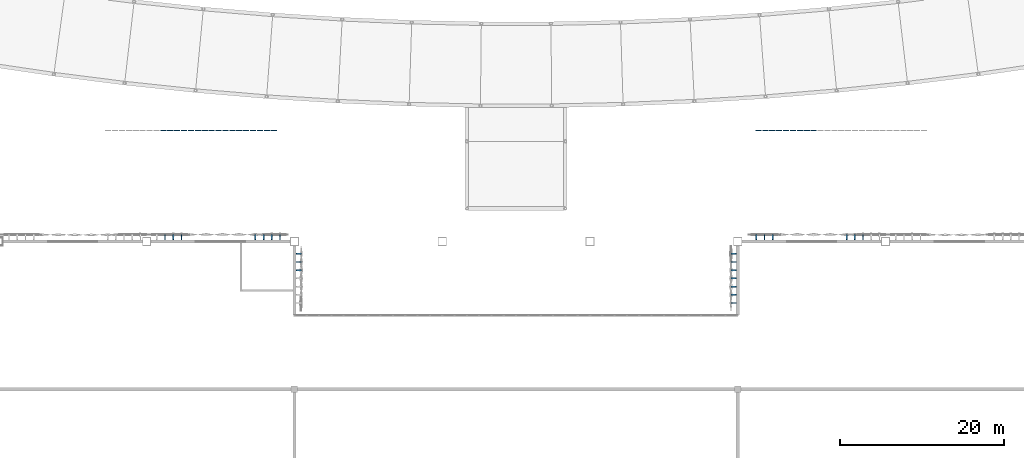
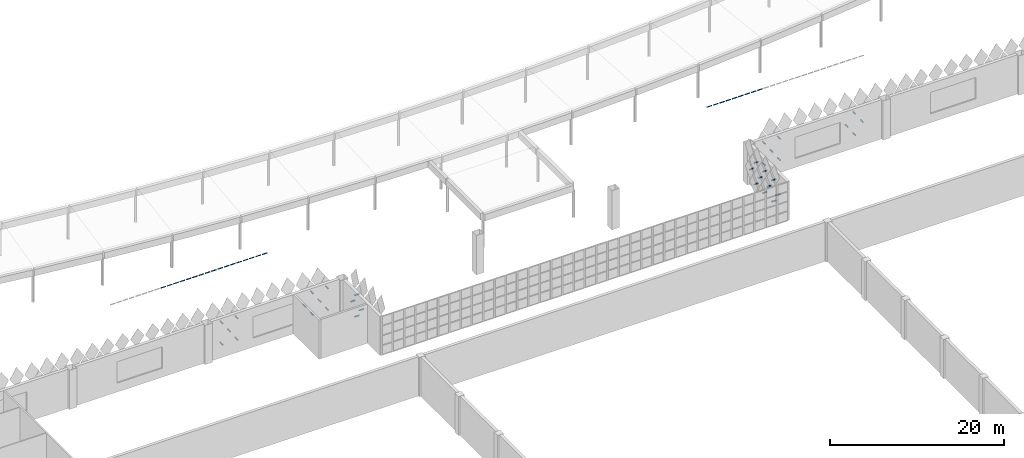
# One storey, part 147 of 185: 60 discrete accessories.
"""IFC4 building model written with IfcOpenShell, lengths in metres."""

from ifc_helpers import new_model, si_unit, direction, frame, origin, origin_2d, place, context, subcontext, project, spatial, polyline, hollow_rectangle, outline, extrude, material, material_profile, profile_set, type_object, element, save


model = new_model("IFC4")

# Units and contexts
model_context = context("Model", 3, precision=1e-05, world=origin(), true_north=direction((0.0, 1.0)))
body_context = subcontext(model_context, "Body", "Model", "MODEL_VIEW")
ifc_project = project(units=[si_unit("LENGTHUNIT", "METRE"), si_unit("AREAUNIT", "SQUARE_METRE"), si_unit("VOLUMEUNIT", "CUBIC_METRE"), si_unit("PLANEANGLEUNIT", "RADIAN"), si_unit("MASSUNIT", "GRAM", prefix="KILO")], contexts=[model_context])

# Site, building, storey
site_placement = place(None, origin())
site = spatial("IfcSite", under=ifc_project, at=site_placement, CompositionType="ELEMENT")
building_placement = place(site_placement, origin())
building = spatial("IfcBuilding", under=site, at=building_placement, Name="Opaline Strait Convention Centre", CompositionType="ELEMENT")
storey_placement = place(building_placement, frame((0.0, 0.0, 6.0)))
storey = spatial("IfcBuildingStorey", under=building, at=storey_placement, Name="L01", CompositionType="ELEMENT", Elevation=6.0)

# Discrete accessories
ifc_material = material(Name="Steel Q355B", Category="steel")
ifc_material_profile = material_profile(ifc_material, hollow_rectangle(XDim=0.10009765625, YDim=0.10009765625, WallThickness=0.006103515625, at=origin_2d()), Name="RHS 100x100x6")
ifc_profile_set = profile_set([ifc_material_profile], Name="Steel Q355B")
discrete_accessory_type_1 = type_object("IfcDiscreteAccessoryType", Name="Blade rail RHS 100x100x6", PredefinedType="BRACKET", material=ifc_profile_set)
for number, where, z_axis, x_axis, name in (
    (1, (136.699951171875, 166.5, 1.5), (1.0, 0.0, 0.0), (0.0, 1.0, 0.0), "Blade rail 1 W"),
    (2, (137.5400390625, 166.5, 1.5), (1.0, 0.0, 0.0), (0.0, 1.0, 0.0), "Blade rail 1 W"),
):
    element("IfcDiscreteAccessory", number, at=place(storey_placement, frame(where, z_axis=z_axis, x_axis=x_axis)), inside=storey, type_object=discrete_accessory_type_1, Name=name, PredefinedType="BRACKET", context=body_context, shape_type="SweptSolid", body=[
        extrude(hollow_rectangle(XDim=0.10009765625, YDim=0.10009765625, WallThickness=0.006103515625, at=origin_2d()), origin(), (0.0, 0.0, 1.0), 0.679931640625),
    ])
discrete_accessory_1_placement = place(storey_placement, frame((138.3798828125, 166.5, 1.5), z_axis=(1.0, 0.0, 0.0), x_axis=(0.0, 1.0, 0.0)))
element("IfcDiscreteAccessory", 3, at=discrete_accessory_1_placement, inside=storey, type_object=discrete_accessory_type_1, Name="Blade rail 1 W", PredefinedType="BRACKET", context=body_context, shape_type="SweptSolid", body=[
    extrude(hollow_rectangle(XDim=0.10009765625, YDim=0.10009765625, WallThickness=0.006103515625, at=origin_2d()), origin(), (0.0, 0.0, 1.0), 0.68017578125),
])
for number, where, z_axis, x_axis, name in (
    (4, (139.219970703125, 166.5, 1.5), (1.0, 0.0, 0.0), (0.0, 1.0, 0.0), "Blade rail 1 W"),
    (5, (140.06005859375, 166.5, 1.5), (1.0, 0.0, 0.0), (0.0, 1.0, 0.0), "Blade rail 1 W"),
):
    element("IfcDiscreteAccessory", number, at=place(storey_placement, frame(where, z_axis=z_axis, x_axis=x_axis)), inside=storey, type_object=discrete_accessory_type_1, Name=name, PredefinedType="BRACKET", context=body_context, shape_type="SweptSolid", body=[
        extrude(hollow_rectangle(XDim=0.10009765625, YDim=0.10009765625, WallThickness=0.006103515625, at=origin_2d()), origin(), (0.0, 0.0, 1.0), 0.679931640625),
    ])
discrete_accessory_2_placement = place(storey_placement, frame((140.89990234375, 166.5, 1.5), z_axis=(1.0, 0.0, 0.0), x_axis=(0.0, 1.0, 0.0)))
element("IfcDiscreteAccessory", 6, at=discrete_accessory_2_placement, inside=storey, type_object=discrete_accessory_type_1, Name="Blade rail 1 W", PredefinedType="BRACKET", context=body_context, shape_type="SweptSolid", body=[
    extrude(hollow_rectangle(XDim=0.10009765625, YDim=0.10009765625, WallThickness=0.006103515625, at=origin_2d()), origin(), (0.0, 0.0, 1.0), 0.68017578125),
])
for number, where, z_axis, x_axis, name in (
    (7, (141.739990234375, 166.5, 1.5), (1.0, 0.0, 0.0), (0.0, 1.0, 0.0), "Blade rail 1 W"),
    (8, (142.580078125, 166.5, 1.5), (1.0, 0.0, 0.0), (0.0, 1.0, 0.0), "Blade rail 1 W"),
):
    element("IfcDiscreteAccessory", number, at=place(storey_placement, frame(where, z_axis=z_axis, x_axis=x_axis)), inside=storey, type_object=discrete_accessory_type_1, Name=name, PredefinedType="BRACKET", context=body_context, shape_type="SweptSolid", body=[
        extrude(hollow_rectangle(XDim=0.10009765625, YDim=0.10009765625, WallThickness=0.006103515625, at=origin_2d()), origin(), (0.0, 0.0, 1.0), 0.679931640625),
    ])
discrete_accessory_3_placement = place(storey_placement, frame((143.419921875, 166.5, 1.5), z_axis=(1.0, 0.0, 0.0), x_axis=(0.0, 1.0, 0.0)))
element("IfcDiscreteAccessory", 9, at=discrete_accessory_3_placement, inside=storey, type_object=discrete_accessory_type_1, Name="Blade rail 1 W", PredefinedType="BRACKET", context=body_context, shape_type="SweptSolid", body=[
    extrude(hollow_rectangle(XDim=0.10009765625, YDim=0.10009765625, WallThickness=0.006103515625, at=origin_2d()), origin(), (0.0, 0.0, 1.0), 0.68017578125),
])
for number, where, z_axis, x_axis, name in (
    (10, (144.260009765625, 166.5, 1.5), (1.0, 0.0, 0.0), (0.0, 1.0, 0.0), "Blade rail 1 W"),
    (11, (145.10009765625, 166.5, 1.5), (1.0, 0.0, 0.0), (0.0, 1.0, 0.0), "Blade rail 1 W"),
):
    element("IfcDiscreteAccessory", number, at=place(storey_placement, frame(where, z_axis=z_axis, x_axis=x_axis)), inside=storey, type_object=discrete_accessory_type_1, Name=name, PredefinedType="BRACKET", context=body_context, shape_type="SweptSolid", body=[
        extrude(hollow_rectangle(XDim=0.10009765625, YDim=0.10009765625, WallThickness=0.006103515625, at=origin_2d()), origin(), (0.0, 0.0, 1.0), 0.679931640625),
    ])
discrete_accessory_4_placement = place(storey_placement, frame((145.93994140625, 166.5, 1.5), z_axis=(1.0, 0.0, 0.0), x_axis=(0.0, 1.0, 0.0)))
element("IfcDiscreteAccessory", 12, at=discrete_accessory_4_placement, inside=storey, type_object=discrete_accessory_type_1, Name="Blade rail 1 W", PredefinedType="BRACKET", context=body_context, shape_type="SweptSolid", body=[
    extrude(hollow_rectangle(XDim=0.10009765625, YDim=0.10009765625, WallThickness=0.006103515625, at=origin_2d()), origin(), (0.0, 0.0, 1.0), 0.68017578125),
])
for number, where, z_axis, x_axis, name in (
    (13, (146.780029296875, 166.5, 1.5), (1.0, 0.0, 0.0), (0.0, 1.0, 0.0), "Blade rail 1 W"),
    (14, (147.6201171875, 166.5, 1.5), (1.0, 0.0, 0.0), (0.0, 1.0, 0.0), "Blade rail 1 W"),
    (15, (148.4599609375, 166.5, 1.5), (1.0, 0.0, 0.0), (0.0, 1.0, 0.0), "Blade rail 1 W"),
    (16, (149.300048828125, 166.5, 1.5), (1.0, 0.0, 0.0), (0.0, 1.0, 0.0), "Blade rail 1 W"),
):
    element("IfcDiscreteAccessory", number, at=place(storey_placement, frame(where, z_axis=z_axis, x_axis=x_axis)), inside=storey, type_object=discrete_accessory_type_1, Name=name, PredefinedType="BRACKET", context=body_context, shape_type="SweptSolid", body=[
        extrude(hollow_rectangle(XDim=0.10009765625, YDim=0.10009765625, WallThickness=0.006103515625, at=origin_2d()), origin(), (0.0, 0.0, 1.0), 0.679931640625),
    ])
for number, where, z_axis, x_axis, name in (
    (17, (150.139892578125, 166.5, 1.5), (1.0, 0.0, 0.0), (0.0, 1.0, 0.0), "Blade rail 1 W"),
    (18, (209.179931640625, 166.5, 1.5), (1.0, 0.0, 0.0), (0.0, 1.0, 0.0), "Blade rail 1 E"),
):
    element("IfcDiscreteAccessory", number, at=place(storey_placement, frame(where, z_axis=z_axis, x_axis=x_axis)), inside=storey, type_object=discrete_accessory_type_1, Name=name, PredefinedType="BRACKET", context=body_context, shape_type="SweptSolid", body=[
        extrude(hollow_rectangle(XDim=0.10009765625, YDim=0.10009765625, WallThickness=0.006103515625, at=origin_2d()), origin(), (0.0, 0.0, 1.0), 0.68017578125),
    ])
for number, where, z_axis, x_axis, name in (
    (19, (210.02001953125, 166.5, 1.5), (1.0, 0.0, 0.0), (0.0, 1.0, 0.0), "Blade rail 1 E"),
    (20, (210.860107421875, 166.5, 1.5), (1.0, 0.0, 0.0), (0.0, 1.0, 0.0), "Blade rail 1 E"),
    (21, (211.699951171875, 166.5, 1.5), (1.0, 0.0, 0.0), (0.0, 1.0, 0.0), "Blade rail 1 E"),
    (22, (212.5400390625, 166.5, 1.5), (1.0, 0.0, 0.0), (0.0, 1.0, 0.0), "Blade rail 1 E"),
):
    element("IfcDiscreteAccessory", number, at=place(storey_placement, frame(where, z_axis=z_axis, x_axis=x_axis)), inside=storey, type_object=discrete_accessory_type_1, Name=name, PredefinedType="BRACKET", context=body_context, shape_type="SweptSolid", body=[
        extrude(hollow_rectangle(XDim=0.10009765625, YDim=0.10009765625, WallThickness=0.006103515625, at=origin_2d()), origin(), (0.0, 0.0, 1.0), 0.679931640625),
    ])
discrete_accessory_5_placement = place(storey_placement, frame((213.3798828125, 166.5, 1.5), z_axis=(1.0, 0.0, 0.0), x_axis=(0.0, 1.0, 0.0)))
element("IfcDiscreteAccessory", 23, at=discrete_accessory_5_placement, inside=storey, type_object=discrete_accessory_type_1, Name="Blade rail 1 E", PredefinedType="BRACKET", context=body_context, shape_type="SweptSolid", body=[
    extrude(hollow_rectangle(XDim=0.10009765625, YDim=0.10009765625, WallThickness=0.006103515625, at=origin_2d()), origin(), (0.0, 0.0, 1.0), 0.68017578125),
])
for number, where, z_axis, x_axis, name in (
    (24, (214.219970703125, 166.5, 1.5), (1.0, 0.0, 0.0), (0.0, 1.0, 0.0), "Blade rail 1 E"),
    (25, (215.06005859375, 166.5, 1.5), (1.0, 0.0, 0.0), (0.0, 1.0, 0.0), "Blade rail 1 E"),
):
    element("IfcDiscreteAccessory", number, at=place(storey_placement, frame(where, z_axis=z_axis, x_axis=x_axis)), inside=storey, type_object=discrete_accessory_type_1, Name=name, PredefinedType="BRACKET", context=body_context, shape_type="SweptSolid", body=[
        extrude(hollow_rectangle(XDim=0.10009765625, YDim=0.10009765625, WallThickness=0.006103515625, at=origin_2d()), origin(), (0.0, 0.0, 1.0), 0.679931640625),
    ])
discrete_accessory_6_placement = place(storey_placement, frame((215.89990234375, 166.5, 1.5), z_axis=(1.0, 0.0, 0.0), x_axis=(0.0, 1.0, 0.0)))
element("IfcDiscreteAccessory", 26, at=discrete_accessory_6_placement, inside=storey, type_object=discrete_accessory_type_1, Name="Blade rail 1 E", PredefinedType="BRACKET", context=body_context, shape_type="SweptSolid", body=[
    extrude(hollow_rectangle(XDim=0.10009765625, YDim=0.10009765625, WallThickness=0.006103515625, at=origin_2d()), origin(), (0.0, 0.0, 1.0), 0.68017578125),
])
discrete_accessory_type_2 = type_object("IfcDiscreteAccessoryType", Name="Tile bracket 100x100 steel", PredefinedType="BRACKET", material=ifc_material)
discrete_accessory_7_placement = place(storey_placement, frame((221.300048828125, 153.199951171875, 1.39208984375), z_axis=(-1.0, 0.0, 0.0), x_axis=(0.0, -1.0, 0.0)))
element("IfcDiscreteAccessory", 27, at=discrete_accessory_7_placement, inside=storey, type_object=discrete_accessory_type_2, Name="Tile bracket XT13 N", PredefinedType="BRACKET", context=body_context, shape_type="SweptSolid", body=[
    extrude(outline(polyline([(0.0, -0.050048828125), (0.0, 0.050048828125), (-0.605712890625, 0.050048828125), (-0.59423828125, -0.050048828125), (0.0, -0.050048828125)])), origin(), (0.0, 0.0, 1.0), 0.10009765625),
])
discrete_accessory_8_placement = place(storey_placement, frame((211.300048828125, 153.199951171875, 1.39208984375), z_axis=(-1.0, 0.0, 0.0), x_axis=(0.0, -1.0, 0.0)))
element("IfcDiscreteAccessory", 28, at=discrete_accessory_8_placement, inside=storey, type_object=discrete_accessory_type_2, Name="Tile bracket XT05 N", PredefinedType="BRACKET", context=body_context, shape_type="SweptSolid", body=[
    extrude(outline(polyline([(0.0, -0.050048828125), (0.0, 0.050048828125), (-0.602294921875, 0.050048828125), (-0.597900390625, -0.050048828125), (0.0, -0.050048828125)])), origin(), (0.0, 0.0, 1.0), 0.10009765625),
])
discrete_accessory_9_placement = place(storey_placement, frame((209.300048828125, 153.199951171875, 1.39208984375), z_axis=(-1.0, 0.0, 0.0), x_axis=(0.0, -1.0, 0.0)))
element("IfcDiscreteAccessory", 29, at=discrete_accessory_9_placement, inside=storey, type_object=discrete_accessory_type_2, Name="Tile bracket XT05 N", PredefinedType="BRACKET", context=body_context, shape_type="SweptSolid", body=[
    extrude(outline(polyline([(0.0, -0.050048828125), (0.0, 0.050048828125), (-0.597900390625, 0.050048828125), (-0.602294921875, -0.050048828125), (0.0, -0.050048828125)])), origin(), (0.0, 0.0, 1.0), 0.10009765625),
])
discrete_accessory_10_placement = place(storey_placement, frame((151.300048828125, 153.199951171875, 1.39208984375), z_axis=(-1.0, 0.0, 0.0), x_axis=(0.0, -1.0, 0.0)))
element("IfcDiscreteAccessory", 30, at=discrete_accessory_10_placement, inside=storey, type_object=discrete_accessory_type_2, Name="Tile bracket XT12 N", PredefinedType="BRACKET", context=body_context, shape_type="SweptSolid", body=[
    extrude(outline(polyline([(0.0, -0.050048828125), (0.0, 0.050048828125), (-0.605224609375, 0.050048828125), (-0.5947265625, -0.050048828125), (0.0, -0.050048828125)])), origin(), (0.0, 0.0, 1.0), 0.10009765625),
])
discrete_accessory_11_placement = place(storey_placement, frame((149.300048828125, 153.199951171875, 1.39208984375), z_axis=(-1.0, 0.0, 0.0), x_axis=(0.0, -1.0, 0.0)))
element("IfcDiscreteAccessory", 31, at=discrete_accessory_11_placement, inside=storey, type_object=discrete_accessory_type_2, Name="Tile bracket XT14 N", PredefinedType="BRACKET", context=body_context, shape_type="SweptSolid", body=[
    extrude(outline(polyline([(0.0, -0.050048828125), (0.0, 0.050048828125), (-0.606201171875, 0.050048828125), (-0.59375, -0.050048828125), (0.0, -0.050048828125)])), origin(), (0.0, 0.0, 1.0), 0.10009765625),
])
discrete_accessory_12_placement = place(storey_placement, frame((139.300048828125, 153.199951171875, 1.39208984375), z_axis=(-1.0, 0.0, 0.0), x_axis=(0.0, -1.0, 0.0)))
element("IfcDiscreteAccessory", 32, at=discrete_accessory_12_placement, inside=storey, type_object=discrete_accessory_type_2, Name="Tile bracket XT05 N", PredefinedType="BRACKET", context=body_context, shape_type="SweptSolid", body=[
    extrude(outline(polyline([(0.0, -0.050048828125), (0.0, 0.050048828125), (-0.602294921875, 0.050048828125), (-0.597900390625, -0.050048828125), (0.0, -0.050048828125)])), origin(), (0.0, 0.0, 1.0), 0.10009765625),
])
discrete_accessory_13_placement = place(storey_placement, frame((137.300048828125, 153.199951171875, 1.39208984375), z_axis=(-1.0, 0.0, 0.0), x_axis=(0.0, -1.0, 0.0)))
element("IfcDiscreteAccessory", 33, at=discrete_accessory_13_placement, inside=storey, type_object=discrete_accessory_type_2, Name="Tile bracket XT05 N", PredefinedType="BRACKET", context=body_context, shape_type="SweptSolid", body=[
    extrude(outline(polyline([(0.0, -0.050048828125), (0.0, 0.050048828125), (-0.597900390625, 0.050048828125), (-0.602294921875, -0.050048828125), (0.0, -0.050048828125)])), origin(), (0.0, 0.0, 1.0), 0.10009765625),
])
discrete_accessory_14_placement = place(storey_placement, frame((222.300048828125, 153.199951171875, 2.89208984375), z_axis=(-1.0, 0.0, 0.0), x_axis=(0.0, -1.0, 0.0)))
element("IfcDiscreteAccessory", 34, at=discrete_accessory_14_placement, inside=storey, type_object=discrete_accessory_type_2, Name="Tile bracket XT11 N", PredefinedType="BRACKET", context=body_context, shape_type="SweptSolid", body=[
    extrude(outline(polyline([(0.0, -0.050048828125), (0.0, 0.050048828125), (-0.604736328125, 0.050048828125), (-0.59521484375, -0.050048828125), (0.0, -0.050048828125)])), origin(), (0.0, 0.0, 1.0), 0.10009765625),
])
discrete_accessory_15_placement = place(storey_placement, frame((220.300048828125, 153.199951171875, 2.89208984375), z_axis=(-1.0, 0.0, 0.0), x_axis=(0.0, -1.0, 0.0)))
element("IfcDiscreteAccessory", 35, at=discrete_accessory_15_placement, inside=storey, type_object=discrete_accessory_type_2, Name="Tile bracket XT13 N", PredefinedType="BRACKET", context=body_context, shape_type="SweptSolid", body=[
    extrude(outline(polyline([(0.0, -0.050048828125), (0.0, 0.050048828125), (-0.605712890625, 0.050048828125), (-0.59423828125, -0.050048828125), (0.0, -0.050048828125)])), origin(), (0.0, 0.0, 1.0), 0.10009765625),
])
discrete_accessory_16_placement = place(storey_placement, frame((210.300048828125, 153.199951171875, 2.89208984375), z_axis=(-1.0, 0.0, 0.0), x_axis=(0.0, -1.0, 0.0)))
element("IfcDiscreteAccessory", 36, at=discrete_accessory_16_placement, inside=storey, type_object=discrete_accessory_type_2, Name="Tile bracket XT05 N", PredefinedType="BRACKET", context=body_context, shape_type="SweptSolid", body=[
    extrude(outline(polyline([(0.0, -0.050048828125), (0.0, 0.050048828125), (-0.602294921875, 0.050048828125), (-0.597900390625, -0.050048828125), (0.0, -0.050048828125)])), origin(), (0.0, 0.0, 1.0), 0.10009765625),
])
discrete_accessory_17_placement = place(storey_placement, frame((150.300048828125, 153.199951171875, 2.89208984375), z_axis=(-1.0, 0.0, 0.0), x_axis=(0.0, -1.0, 0.0)))
element("IfcDiscreteAccessory", 37, at=discrete_accessory_17_placement, inside=storey, type_object=discrete_accessory_type_2, Name="Tile bracket XT12 N", PredefinedType="BRACKET", context=body_context, shape_type="SweptSolid", body=[
    extrude(outline(polyline([(0.0, -0.050048828125), (0.0, 0.050048828125), (-0.605224609375, 0.050048828125), (-0.5947265625, -0.050048828125), (0.0, -0.050048828125)])), origin(), (0.0, 0.0, 1.0), 0.10009765625),
])
discrete_accessory_18_placement = place(storey_placement, frame((148.300048828125, 153.199951171875, 2.89208984375), z_axis=(-1.0, 0.0, 0.0), x_axis=(0.0, -1.0, 0.0)))
element("IfcDiscreteAccessory", 38, at=discrete_accessory_18_placement, inside=storey, type_object=discrete_accessory_type_2, Name="Tile bracket XT14 N", PredefinedType="BRACKET", context=body_context, shape_type="SweptSolid", body=[
    extrude(outline(polyline([(0.0, -0.050048828125), (0.0, 0.050048828125), (-0.606201171875, 0.050048828125), (-0.59375, -0.050048828125), (0.0, -0.050048828125)])), origin(), (0.0, 0.0, 1.0), 0.10009765625),
])
discrete_accessory_19_placement = place(storey_placement, frame((138.300048828125, 153.199951171875, 2.89208984375), z_axis=(-1.0, 0.0, 0.0), x_axis=(0.0, -1.0, 0.0)))
element("IfcDiscreteAccessory", 39, at=discrete_accessory_19_placement, inside=storey, type_object=discrete_accessory_type_2, Name="Tile bracket XT05 N", PredefinedType="BRACKET", context=body_context, shape_type="SweptSolid", body=[
    extrude(outline(polyline([(0.0, -0.050048828125), (0.0, 0.050048828125), (-0.602294921875, 0.050048828125), (-0.597900390625, -0.050048828125), (0.0, -0.050048828125)])), origin(), (0.0, 0.0, 1.0), 0.10009765625),
])
discrete_accessory_20_placement = place(storey_placement, frame((221.300048828125, 153.199951171875, 4.39208984375), z_axis=(-1.0, 0.0, 0.0), x_axis=(0.0, -1.0, 0.0)))
element("IfcDiscreteAccessory", 40, at=discrete_accessory_20_placement, inside=storey, type_object=discrete_accessory_type_2, Name="Tile bracket XT11 N", PredefinedType="BRACKET", context=body_context, shape_type="SweptSolid", body=[
    extrude(outline(polyline([(0.0, -0.050048828125), (0.0, 0.050048828125), (-0.604736328125, 0.050048828125), (-0.59521484375, -0.050048828125), (0.0, -0.050048828125)])), origin(), (0.0, 0.0, 1.0), 0.10009765625),
])
discrete_accessory_21_placement = place(storey_placement, frame((211.300048828125, 153.199951171875, 4.39208984375), z_axis=(-1.0, 0.0, 0.0), x_axis=(0.0, -1.0, 0.0)))
element("IfcDiscreteAccessory", 41, at=discrete_accessory_21_placement, inside=storey, type_object=discrete_accessory_type_2, Name="Tile bracket XT08 N", PredefinedType="BRACKET", context=body_context, shape_type="SweptSolid", body=[
    extrude(outline(polyline([(0.0, -0.050048828125), (0.0, 0.050048828125), (-0.603515625, 0.050048828125), (-0.596435546875, -0.050048828125), (0.0, -0.050048828125)])), origin(), (0.0, 0.0, 1.0), 0.10009765625),
])
discrete_accessory_22_placement = place(storey_placement, frame((209.300048828125, 153.199951171875, 4.39208984375), z_axis=(-1.0, 0.0, 0.0), x_axis=(0.0, -1.0, 0.0)))
element("IfcDiscreteAccessory", 42, at=discrete_accessory_22_placement, inside=storey, type_object=discrete_accessory_type_2, Name="Tile bracket XT05 N", PredefinedType="BRACKET", context=body_context, shape_type="SweptSolid", body=[
    extrude(outline(polyline([(0.0, -0.050048828125), (0.0, 0.050048828125), (-0.602294921875, 0.050048828125), (-0.597900390625, -0.050048828125), (0.0, -0.050048828125)])), origin(), (0.0, 0.0, 1.0), 0.10009765625),
])
discrete_accessory_23_placement = place(storey_placement, frame((151.300048828125, 153.199951171875, 4.39208984375), z_axis=(-1.0, 0.0, 0.0), x_axis=(0.0, -1.0, 0.0)))
element("IfcDiscreteAccessory", 43, at=discrete_accessory_23_placement, inside=storey, type_object=discrete_accessory_type_2, Name="Tile bracket XT07 N", PredefinedType="BRACKET", context=body_context, shape_type="SweptSolid", body=[
    extrude(outline(polyline([(0.0, -0.050048828125), (0.0, 0.050048828125), (-0.60302734375, 0.050048828125), (-0.596923828125, -0.050048828125), (0.0, -0.050048828125)])), origin(), (0.0, 0.0, 1.0), 0.10009765625),
])
discrete_accessory_24_placement = place(storey_placement, frame((149.300048828125, 153.199951171875, 4.39208984375), z_axis=(-1.0, 0.0, 0.0), x_axis=(0.0, -1.0, 0.0)))
element("IfcDiscreteAccessory", 44, at=discrete_accessory_24_placement, inside=storey, type_object=discrete_accessory_type_2, Name="Tile bracket XT11 N", PredefinedType="BRACKET", context=body_context, shape_type="SweptSolid", body=[
    extrude(outline(polyline([(0.0, -0.050048828125), (0.0, 0.050048828125), (-0.604736328125, 0.050048828125), (-0.59521484375, -0.050048828125), (0.0, -0.050048828125)])), origin(), (0.0, 0.0, 1.0), 0.10009765625),
])
discrete_accessory_25_placement = place(storey_placement, frame((139.300048828125, 153.199951171875, 4.39208984375), z_axis=(-1.0, 0.0, 0.0), x_axis=(0.0, -1.0, 0.0)))
element("IfcDiscreteAccessory", 45, at=discrete_accessory_25_placement, inside=storey, type_object=discrete_accessory_type_2, Name="Tile bracket XT07 N", PredefinedType="BRACKET", context=body_context, shape_type="SweptSolid", body=[
    extrude(outline(polyline([(0.0, -0.050048828125), (0.0, 0.050048828125), (-0.60302734375, 0.050048828125), (-0.596923828125, -0.050048828125), (0.0, -0.050048828125)])), origin(), (0.0, 0.0, 1.0), 0.10009765625),
])
discrete_accessory_26_placement = place(storey_placement, frame((137.300048828125, 153.199951171875, 4.39208984375), z_axis=(-1.0, 0.0, 0.0), x_axis=(0.0, -1.0, 0.0)))
element("IfcDiscreteAccessory", 46, at=discrete_accessory_26_placement, inside=storey, type_object=discrete_accessory_type_2, Name="Tile bracket XT05 N", PredefinedType="BRACKET", context=body_context, shape_type="SweptSolid", body=[
    extrude(outline(polyline([(0.0, -0.050048828125), (0.0, 0.050048828125), (-0.602294921875, 0.050048828125), (-0.597900390625, -0.050048828125), (0.0, -0.050048828125)])), origin(), (0.0, 0.0, 1.0), 0.10009765625),
])
discrete_accessory_27_placement = place(storey_placement, frame((153.199951171875, 150.449951171875, 1.39208984375), z_axis=(0.0, 1.0, 0.0), x_axis=(-1.0, 0.0, 0.0)))
element("IfcDiscreteAccessory", 47, at=discrete_accessory_27_placement, inside=storey, type_object=discrete_accessory_type_2, Name="Tile bracket XT14 RW", PredefinedType="BRACKET", context=body_context, shape_type="SweptSolid", body=[
    extrude(outline(polyline([(0.0, -0.050048828125), (0.0, 0.050048828125), (-0.606201171875, 0.050048828125), (-0.59375, -0.050048828125), (0.0, -0.050048828125)])), origin(), (0.0, 0.0, 1.0), 0.10009765625),
])
discrete_accessory_28_placement = place(storey_placement, frame((153.199951171875, 149.449951171875, 2.89208984375), z_axis=(0.0, 1.0, 0.0), x_axis=(-1.0, 0.0, 0.0)))
element("IfcDiscreteAccessory", 48, at=discrete_accessory_28_placement, inside=storey, type_object=discrete_accessory_type_2, Name="Tile bracket XT16 RW", PredefinedType="BRACKET", context=body_context, shape_type="SweptSolid", body=[
    extrude(outline(polyline([(0.0, -0.050048828125), (0.0, 0.050048828125), (-0.60693359375, 0.050048828125), (-0.593017578125, -0.050048828125), (0.0, -0.050048828125)])), origin(), (0.0, 0.0, 1.0), 0.10009765625),
])
discrete_accessory_29_placement = place(storey_placement, frame((153.199951171875, 151.449951171875, 2.89208984375), z_axis=(0.0, 1.0, 0.0), x_axis=(-1.0, 0.0, 0.0)))
element("IfcDiscreteAccessory", 49, at=discrete_accessory_29_placement, inside=storey, type_object=discrete_accessory_type_2, Name="Tile bracket XT12 RW", PredefinedType="BRACKET", context=body_context, shape_type="SweptSolid", body=[
    extrude(outline(polyline([(0.0, -0.050048828125), (0.0, 0.050048828125), (-0.605224609375, 0.050048828125), (-0.5947265625, -0.050048828125), (0.0, -0.050048828125)])), origin(), (0.0, 0.0, 1.0), 0.10009765625),
])
discrete_accessory_30_placement = place(storey_placement, frame((153.199951171875, 150.449951171875, 4.39208984375), z_axis=(0.0, 1.0, 0.0), x_axis=(-1.0, 0.0, 0.0)))
element("IfcDiscreteAccessory", 50, at=discrete_accessory_30_placement, inside=storey, type_object=discrete_accessory_type_2, Name="Tile bracket XT14 RW", PredefinedType="BRACKET", context=body_context, shape_type="SweptSolid", body=[
    extrude(outline(polyline([(0.0, -0.050048828125), (0.0, 0.050048828125), (-0.606201171875, 0.050048828125), (-0.59375, -0.050048828125), (0.0, -0.050048828125)])), origin(), (0.0, 0.0, 1.0), 0.10009765625),
])
discrete_accessory_31_placement = place(storey_placement, frame((206.800048828125, 150.550048828125, 1.39208984375), z_axis=(0.0, -1.0, 0.0), x_axis=(1.0, 0.0, 0.0)))
element("IfcDiscreteAccessory", 51, at=discrete_accessory_31_placement, inside=storey, type_object=discrete_accessory_type_2, Name="Tile bracket XT12 RE", PredefinedType="BRACKET", context=body_context, shape_type="SweptSolid", body=[
    extrude(outline(polyline([(0.0, -0.050048828125), (0.0, 0.050048828125), (-0.605224609375, 0.050048828125), (-0.5947265625, -0.050048828125), (0.0, -0.050048828125)])), origin(), (0.0, 0.0, 1.0), 0.10009765625),
])
discrete_accessory_32_placement = place(storey_placement, frame((206.800048828125, 148.550048828125, 1.39208984375), z_axis=(0.0, -1.0, 0.0), x_axis=(1.0, 0.0, 0.0)))
element("IfcDiscreteAccessory", 52, at=discrete_accessory_32_placement, inside=storey, type_object=discrete_accessory_type_2, Name="Tile bracket XT17 RE", PredefinedType="BRACKET", context=body_context, shape_type="SweptSolid", body=[
    extrude(outline(polyline([(0.0, -0.050048828125), (0.0, 0.050048828125), (-0.607421875, 0.050048828125), (-0.592529296875, -0.050048828125), (0.0, -0.050048828125)])), origin(), (0.0, 0.0, 1.0), 0.10009765625),
])
discrete_accessory_33_placement = place(storey_placement, frame((206.800048828125, 146.550048828125, 1.39208984375), z_axis=(0.0, -1.0, 0.0), x_axis=(1.0, 0.0, 0.0)))
element("IfcDiscreteAccessory", 53, at=discrete_accessory_33_placement, inside=storey, type_object=discrete_accessory_type_2, Name="Tile bracket XT14 RE", PredefinedType="BRACKET", context=body_context, shape_type="SweptSolid", body=[
    extrude(outline(polyline([(0.0, -0.050048828125), (0.0, 0.050048828125), (-0.606201171875, 0.050048828125), (-0.59375, -0.050048828125), (0.0, -0.050048828125)])), origin(), (0.0, 0.0, 1.0), 0.10009765625),
])
discrete_accessory_34_placement = place(storey_placement, frame((206.800048828125, 151.550048828125, 2.89208984375), z_axis=(0.0, -1.0, 0.0), x_axis=(1.0, 0.0, 0.0)))
element("IfcDiscreteAccessory", 54, at=discrete_accessory_34_placement, inside=storey, type_object=discrete_accessory_type_2, Name="Tile bracket XT07 RE", PredefinedType="BRACKET", context=body_context, shape_type="SweptSolid", body=[
    extrude(outline(polyline([(0.0, -0.050048828125), (0.0, 0.050048828125), (-0.60302734375, 0.050048828125), (-0.596923828125, -0.050048828125), (0.0, -0.050048828125)])), origin(), (0.0, 0.0, 1.0), 0.10009765625),
])
discrete_accessory_35_placement = place(storey_placement, frame((206.800048828125, 149.550048828125, 2.89208984375), z_axis=(0.0, -1.0, 0.0), x_axis=(1.0, 0.0, 0.0)))
element("IfcDiscreteAccessory", 55, at=discrete_accessory_35_placement, inside=storey, type_object=discrete_accessory_type_2, Name="Tile bracket XT14 RE", PredefinedType="BRACKET", context=body_context, shape_type="SweptSolid", body=[
    extrude(outline(polyline([(0.0, -0.050048828125), (0.0, 0.050048828125), (-0.606201171875, 0.050048828125), (-0.59375, -0.050048828125), (0.0, -0.050048828125)])), origin(), (0.0, 0.0, 1.0), 0.10009765625),
])
discrete_accessory_36_placement = place(storey_placement, frame((206.800048828125, 147.550048828125, 2.89208984375), z_axis=(0.0, -1.0, 0.0), x_axis=(1.0, 0.0, 0.0)))
element("IfcDiscreteAccessory", 56, at=discrete_accessory_36_placement, inside=storey, type_object=discrete_accessory_type_2, Name="Tile bracket XT16 RE", PredefinedType="BRACKET", context=body_context, shape_type="SweptSolid", body=[
    extrude(outline(polyline([(0.0, -0.050048828125), (0.0, 0.050048828125), (-0.60693359375, 0.050048828125), (-0.593017578125, -0.050048828125), (0.0, -0.050048828125)])), origin(), (0.0, 0.0, 1.0), 0.10009765625),
])
discrete_accessory_37_placement = place(storey_placement, frame((206.800048828125, 145.550048828125, 2.89208984375), z_axis=(0.0, -1.0, 0.0), x_axis=(1.0, 0.0, 0.0)))
element("IfcDiscreteAccessory", 57, at=discrete_accessory_37_placement, inside=storey, type_object=discrete_accessory_type_2, Name="Tile bracket XT12 RE", PredefinedType="BRACKET", context=body_context, shape_type="SweptSolid", body=[
    extrude(outline(polyline([(0.0, -0.050048828125), (0.0, 0.050048828125), (-0.605224609375, 0.050048828125), (-0.5947265625, -0.050048828125), (0.0, -0.050048828125)])), origin(), (0.0, 0.0, 1.0), 0.10009765625),
])
discrete_accessory_38_placement = place(storey_placement, frame((206.800048828125, 150.550048828125, 4.39208984375), z_axis=(0.0, -1.0, 0.0), x_axis=(1.0, 0.0, 0.0)))
element("IfcDiscreteAccessory", 58, at=discrete_accessory_38_placement, inside=storey, type_object=discrete_accessory_type_2, Name="Tile bracket XT08 RE", PredefinedType="BRACKET", context=body_context, shape_type="SweptSolid", body=[
    extrude(outline(polyline([(0.0, -0.050048828125), (0.0, 0.050048828125), (-0.603515625, 0.050048828125), (-0.596435546875, -0.050048828125), (0.0, -0.050048828125)])), origin(), (0.0, 0.0, 1.0), 0.10009765625),
])
for number, where, z_axis, x_axis, name in (
    (59, (206.800048828125, 148.550048828125, 4.39208984375), (0.0, -1.0, 0.0), (1.0, 0.0, 0.0), "Tile bracket XT14 RE"),
    (60, (206.800048828125, 146.550048828125, 4.39208984375), (0.0, -1.0, 0.0), (1.0, 0.0, 0.0), "Tile bracket XT14 RE"),
):
    element("IfcDiscreteAccessory", number, at=place(storey_placement, frame(where, z_axis=z_axis, x_axis=x_axis)), inside=storey, type_object=discrete_accessory_type_2, Name=name, PredefinedType="BRACKET", context=body_context, shape_type="SweptSolid", body=[
        extrude(outline(polyline([(0.0, -0.050048828125), (0.0, 0.050048828125), (-0.606201171875, 0.050048828125), (-0.59375, -0.050048828125), (0.0, -0.050048828125)])), origin(), (0.0, 0.0, 1.0), 0.10009765625),
    ])

save(model, "model.ifc")
